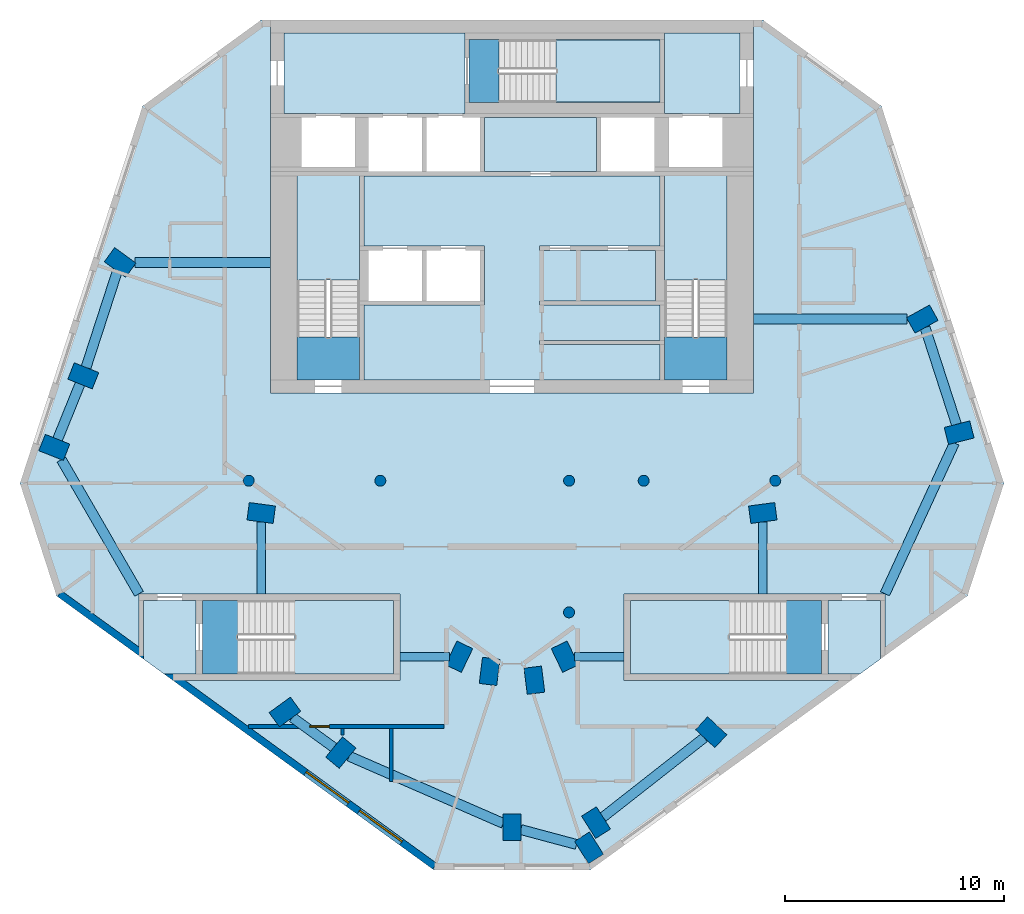
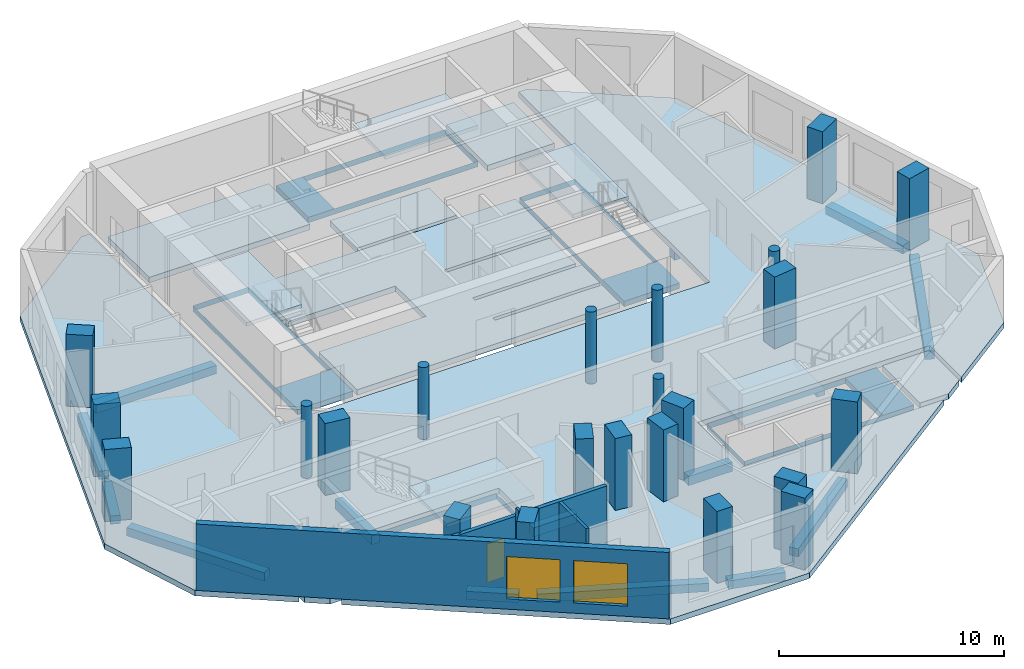
# One storey, part 1 of 8: 23 columns, 17 slabs, 15 beams, 4 walls, 2 windows, 1 door, 3 openings, 5 elements without a shape of their own.
"""IFC4 building model written with IfcOpenShell, lengths in metres."""

from ifc_helpers import new_model, si_unit, direction, frame, frame_2d, origin, origin_2d, place, context, subcontext, project, spatial, polyline, rectangle, circle, outline, extrude, material, layer, layer_set, material_profile, profile_set, type_object, element, fill, aggregate, save


model = new_model("IFC4")

# Units and contexts
model_context = context("Model", 3, precision=1e-05, world=origin(), true_north=direction((0.0, 1.0)))
body_context = subcontext(model_context, "Body", "Model", "MODEL_VIEW")
ifc_project = project(units=[si_unit("LENGTHUNIT", "METRE"), si_unit("AREAUNIT", "SQUARE_METRE"), si_unit("VOLUMEUNIT", "CUBIC_METRE"), si_unit("PLANEANGLEUNIT", "RADIAN"), si_unit("MASSUNIT", "GRAM", prefix="KILO")], contexts=[model_context])

# Site, building, storey
site_placement = place(None, origin())
site = spatial("IfcSite", under=ifc_project, at=site_placement, CompositionType="ELEMENT")
building_placement = place(site_placement, origin())
building = spatial("IfcBuilding", under=site, at=building_placement, Name="White Candle Pilgrim Tower", CompositionType="ELEMENT")
storey_placement = place(building_placement, frame((0.0, 0.0, 310.0)))
storey = spatial("IfcBuildingStorey", under=building, at=storey_placement, Name="L73", CompositionType="ELEMENT", Elevation=310.0)

# Columns
ifc_material_1 = material(Name="Concrete C60/75", Category="concrete")
ifc_material_profile_1 = material_profile(ifc_material_1, circle(Radius=0.25, at=origin_2d()), Name="RC-COL D500")
ifc_profile_set_1 = profile_set([ifc_material_profile_1], Name="Concrete C60/75")
column_type_1 = type_object("IfcColumnType", Name="Interior column RC-COL D500 C60/75", PredefinedType="COLUMN", material=ifc_profile_set_1)
for number, where, z_axis, x_axis, name in (
    (1, (58.0, 67.0, 0.0), (0.0, 0.0, 1.0), (1.0, 0.0, 0.0), "L73 column I01"),
    (2, (64.0, 67.0, 0.0), (0.0, 0.0, 1.0), (1.0, 0.0, 0.0), "L73 column I02"),
    (3, (72.60009765625, 61.0, 0.0), (0.0, 0.0, 1.0), (1.0, 0.0, 0.0), "L73 column I03"),
    (4, (72.60009765625, 67.0, 0.0), (0.0, 0.0, 1.0), (1.0, 0.0, 0.0), "L73 column I04"),
    (5, (76.0, 67.0, 0.0), (0.0, 0.0, 1.0), (1.0, 0.0, 0.0), "L73 column I05"),
    (6, (82.0, 67.0, 0.0), (0.0, 0.0, 1.0), (1.0, 0.0, 0.0), "L73 column I06"),
):
    element("IfcColumn", number, at=place(storey_placement, frame(where, z_axis=z_axis, x_axis=x_axis)), inside=storey, type_object=column_type_1, Name=name, PredefinedType="COLUMN", context=body_context, shape_type="SweptSolid", body=[
        extrude(circle(Radius=0.25, at=origin_2d()), origin(), (0.0, 0.0, 1.0), 3.89990234375),
    ])
ifc_material_profile_2 = material_profile(ifc_material_1, rectangle(XDim=0.800048828125, YDim=1.199951171875, at=origin_2d()), Name="RC-PR 800x1200")
ifc_profile_set_2 = profile_set([ifc_material_profile_2], Name="Concrete C60/75")
column_type_2 = type_object("IfcColumnType", Name="Perimeter column RC-PR 800x1200 C60/75", PredefinedType="COLUMN", material=ifc_profile_set_2)
for number, where, z_axis, x_axis, name in (
    (7, (59.64990234375, 56.4599609375, 0.0), (0.0, 0.0, 1.0), (-0.58846280644, 0.808524288711, 0.0), "L73 column T01"),
    (8, (62.199951171875, 54.610107421875, 0.0), (0.0, 0.0, 1.0), (-0.769310358735, 0.638875239733, 0.0), "L73 column T02"),
    (9, (70.0, 51.2099609375, 0.0), (0.0, 0.0, 1.0), (-1.0, 0.0, 0.0), "L73 column T03"),
    (10, (73.510009765625, 50.27001953125, 0.0), (0.0, 0.0, 1.0), (-0.845317785834, -0.534263830848, 0.0), "L73 column T04"),
    (11, (73.830078125, 51.419921875, 0.0), (0.0, 0.0, 1.0), (-0.845317785834, -0.534263830848, 0.0), "L73 column T05"),
    (12, (79.080078125, 55.5400390625, 0.0), (0.0, 0.0, 1.0), (-0.681998360062, -0.731353701619, 0.0), "L73 column T06"),
    (13, (90.3798828125, 69.18994140625, 0.0), (0.0, 0.0, 1.0), (0.246880623275, -0.969045900797, 0.0), "L73 column T07"),
    (14, (88.699951171875, 74.3701171875, 0.0), (0.0, 0.0, 1.0), (0.484809620246, -0.874619707139, 0.0), "L73 column T08"),
    (15, (52.139892578125, 76.949951171875, 0.0), (0.0, 0.0, 1.0), (0.587107285614, 0.809509132239, 0.0), "L73 column T09"),
    (16, (50.4599609375, 71.780029296875, 0.0), (0.0, 0.0, 1.0), (0.369860269472, 0.929087391512, 0.0), "L73 column T10"),
    (17, (49.139892578125, 68.52001953125, 0.0), (0.0, 0.0, 1.0), (0.369860269472, 0.929087391512, 0.0), "L73 column T11"),
):
    element("IfcColumn", number, at=place(storey_placement, frame(where, z_axis=z_axis, x_axis=x_axis)), inside=storey, type_object=column_type_2, Name=name, PredefinedType="COLUMN", context=body_context, shape_type="SweptSolid", body=[
        extrude(rectangle(XDim=0.800048828125, YDim=1.199951171875, at=origin_2d()), origin(), (0.0, 0.0, 1.0), 3.89990234375),
    ])
ifc_material_profile_3 = material_profile(ifc_material_1, rectangle(XDim=0.800048828125, YDim=1.199951171875, at=origin_2d()), Name="RC-PR 800x1200")
ifc_profile_set_3 = profile_set([ifc_material_profile_3], Name="Concrete C60/75")
column_type_3 = type_object("IfcColumnType", Name="Ring column RC-PR 800x1200 C60/75", PredefinedType="COLUMN", material=ifc_profile_set_3)
for number, where, z_axis, x_axis, name in (
    (18, (67.590087890625, 58.97998046875, 0.0), (0.0, 0.0, 1.0), (-0.901689191761, 0.43238478403, 0.0), "L73 column R01"),
    (19, (68.97998046875, 58.31005859375, 0.0), (0.0, 0.0, 1.0), (-0.992092811428, 0.125506388335, 0.0), "L73 column R02"),
    (20, (71.02001953125, 57.909912109375, 0.0), (0.0, 0.0, 1.0), (-0.992092811428, -0.125506388335, 0.0), "L73 column R03"),
    (21, (72.409912109375, 58.97998046875, 0.0), (0.0, 0.0, 1.0), (-0.901689191761, -0.43238478403, 0.0), "L73 column R04"),
    (22, (81.429931640625, 65.530029296875, 0.0), (0.0, 0.0, 1.0), (0.132602381688, -0.991169313675, 0.0), "L73 column R05"),
    (23, (58.570068359375, 65.530029296875, 0.0), (0.0, 0.0, 1.0), (0.132602381688, 0.991169313675, 0.0), "L73 column R06"),
):
    element("IfcColumn", number, at=place(storey_placement, frame(where, z_axis=z_axis, x_axis=x_axis)), inside=storey, type_object=column_type_3, Name=name, PredefinedType="COLUMN", context=body_context, shape_type="SweptSolid", body=[
        extrude(rectangle(XDim=0.800048828125, YDim=1.199951171875, at=origin_2d()), origin(), (0.0, 0.0, 1.0), 3.89990234375),
    ])

# Beams
ifc_material_2 = material(Name="Concrete C50/60", Category="concrete")
ifc_material_profile_4 = material_profile(ifc_material_2, rectangle(XDim=0.39990234375, YDim=0.5, at=origin_2d()), Name="RC-BM 400x500")
ifc_profile_set_4 = profile_set([ifc_material_profile_4], Name="Concrete C50/60")
beam_type_1 = type_object("IfcBeamType", Name="Ring beam RC-BM 400x500 C50/60", PredefinedType="BEAM", material=ifc_profile_set_4)
beam_1_placement = place(storey_placement, frame((72.853515625, 58.97998046875, -0.550048828125), z_axis=(1.0, 0.0, 0.0), x_axis=(0.0, 1.0, 0.0)))
element("IfcBeam", 24, at=beam_1_placement, inside=storey, type_object=beam_type_1, Name="L73 ring beam R01", PredefinedType="BEAM", context=body_context, shape_type="SweptSolid", body=[
    extrude(rectangle(XDim=0.39990234375, YDim=0.5, at=origin_2d()), origin(), (0.0, 0.0, 1.0), 2.24658203125),
])
for number, where, z_axis, x_axis, name in (
    (25, (81.429931640625, 65.12646484375, -0.550048828125), (0.0, -1.0, 0.0), (1.0, 0.0, 0.0), "L73 ring beam R02"),
    (26, (58.570068359375, 65.12646484375, -0.550048828125), (0.0, -1.0, 0.0), (1.0, 0.0, 0.0), "L73 ring beam R03"),
):
    element("IfcBeam", number, at=place(storey_placement, frame(where, z_axis=z_axis, x_axis=x_axis)), inside=storey, type_object=beam_type_1, Name=name, PredefinedType="BEAM", context=body_context, shape_type="SweptSolid", body=[
        extrude(rectangle(XDim=0.39990234375, YDim=0.5, at=origin_2d()), origin(), (0.0, 0.0, 1.0), 3.2763671875),
    ])
beam_2_placement = place(storey_placement, frame((67.146484375, 58.97998046875, -0.550048828125), z_axis=(-1.0, 0.0, 0.0), x_axis=(0.0, -1.0, 0.0)))
element("IfcBeam", 27, at=beam_2_placement, inside=storey, type_object=beam_type_1, Name="L73 ring beam R04", PredefinedType="BEAM", context=body_context, shape_type="SweptSolid", body=[
    extrude(rectangle(XDim=0.39990234375, YDim=0.5, at=origin_2d()), origin(), (0.0, 0.0, 1.0), 2.24658203125),
])
ifc_material_profile_5 = material_profile(ifc_material_2, rectangle(XDim=0.449951171875, YDim=0.449951171875, at=origin_2d()), Name="RC-BM 450x450")
ifc_profile_set_5 = profile_set([ifc_material_profile_5], Name="Concrete C50/60")
beam_type_2 = type_object("IfcBeamType", Name="Spandrel beam RC-BM 450x450 C50/60", PredefinedType="BEAM", material=ifc_profile_set_5)
beam_3_placement = place(storey_placement, frame((59.990478515625, 56.212890625, -0.52490234375), z_axis=(0.809447251057, -0.58719259852, 0.0), x_axis=(0.58719259852, 0.809447251057, 0.0)))
element("IfcBeam", 28, at=beam_3_placement, inside=storey, type_object=beam_type_2, Name="L73 spandrel beam T01", PredefinedType="BEAM", context=body_context, shape_type="SweptSolid", body=[
    extrude(rectangle(XDim=0.449951171875, YDim=0.449951171875, at=origin_2d()), origin(), (0.0, 0.0, 1.0), 2.328857421875),
])
beam_4_placement = place(storey_placement, frame((62.581787109375, 54.443603515625, -0.52490234375), z_axis=(0.9167046502, -0.399565494382, 0.0), x_axis=(0.399565494382, 0.9167046502, 0.0)))
element("IfcBeam", 29, at=beam_4_placement, inside=storey, type_object=beam_type_2, Name="L73 spandrel beam T02", PredefinedType="BEAM", context=body_context, shape_type="SweptSolid", body=[
    extrude(rectangle(XDim=0.449951171875, YDim=0.449951171875, at=origin_2d()), origin(), (0.0, 0.0, 1.0), 7.656005859375),
])
beam_5_placement = place(storey_placement, frame((70.39990234375, 51.102783203125, -0.52490234375), z_axis=(0.965978702325, -0.258621628357, 0.0), x_axis=(0.258621628357, 0.965978702325, 0.0)))
element("IfcBeam", 30, at=beam_5_placement, inside=storey, type_object=beam_type_2, Name="L73 spandrel beam T03", PredefinedType="BEAM", context=body_context, shape_type="SweptSolid", body=[
    extrude(rectangle(XDim=0.449951171875, YDim=0.449951171875, at=origin_2d()), origin(), (0.0, 0.0, 1.0), 2.6298828125),
])
beam_6_placement = place(storey_placement, frame((74.146240234375, 51.668212890625, -0.52490234375), z_axis=(0.786684987555, 0.617354622851, 0.0), x_axis=(-0.617354622851, 0.786684987555, 0.0)))
element("IfcBeam", 31, at=beam_6_placement, inside=storey, type_object=beam_type_2, Name="L73 spandrel beam T04", PredefinedType="BEAM", context=body_context, shape_type="SweptSolid", body=[
    extrude(rectangle(XDim=0.449951171875, YDim=0.449951171875, at=origin_2d()), origin(), (0.0, 0.0, 1.0), 5.86669921875),
])
beam_7_placement = place(storey_placement, frame((90.164794921875, 68.722412109375, -0.52490234375), z_axis=(-0.418290677934, -0.908313221721, 0.0), x_axis=(0.908313221721, -0.418290677934, 0.0)))
element("IfcBeam", 32, at=beam_7_placement, inside=storey, type_object=beam_type_2, Name="L73 spandrel beam T05", PredefinedType="BEAM", context=body_context, shape_type="SweptSolid", body=[
    extrude(rectangle(XDim=0.449951171875, YDim=0.449951171875, at=origin_2d()), origin(), (0.0, 0.0, 1.0), 7.56591796875),
])
beam_8_placement = place(storey_placement, frame((90.25634765625, 69.5712890625, -0.52490234375), z_axis=(-0.308509847878, 0.951221148715, 0.0), x_axis=(-0.951221148715, -0.308509847878, 0.0)))
element("IfcBeam", 33, at=beam_8_placement, inside=storey, type_object=beam_type_2, Name="L73 spandrel beam T06", PredefinedType="BEAM", context=body_context, shape_type="SweptSolid", body=[
    extrude(rectangle(XDim=0.449951171875, YDim=0.449951171875, at=origin_2d()), origin(), (0.0, 0.0, 1.0), 4.637451171875),
])
beam_9_placement = place(storey_placement, frame((88.013916015625, 74.3701171875, -0.52490234375), z_axis=(-1.0, 0.0, 0.0), x_axis=(0.0, -1.0, 0.0)))
element("IfcBeam", 34, at=beam_9_placement, inside=storey, type_object=beam_type_2, Name="L73 spandrel beam T07", PredefinedType="BEAM", context=body_context, shape_type="SweptSolid", body=[
    extrude(rectangle(XDim=0.449951171875, YDim=0.449951171875, at=origin_2d()), origin(), (0.0, 0.0, 1.0), 7.013916015625),
])
beam_10_placement = place(storey_placement, frame((52.8212890625, 76.949951171875, -0.52490234375), z_axis=(1.0, 0.0, 0.0), x_axis=(0.0, 1.0, 0.0)))
element("IfcBeam", 35, at=beam_10_placement, inside=storey, type_object=beam_type_2, Name="L73 spandrel beam T08", PredefinedType="BEAM", context=body_context, shape_type="SweptSolid", body=[
    extrude(rectangle(XDim=0.449951171875, YDim=0.449951171875, at=origin_2d()), origin(), (0.0, 0.0, 1.0), 6.1787109375),
])
beam_11_placement = place(storey_placement, frame((52.010009765625, 76.550048828125, -0.52490234375), z_axis=(-0.309013100196, -0.951057781582, 0.0), x_axis=(0.951057781582, -0.309013100196, 0.0)))
element("IfcBeam", 36, at=beam_11_placement, inside=storey, type_object=beam_type_2, Name="L73 spandrel beam T09", PredefinedType="BEAM", context=body_context, shape_type="SweptSolid", body=[
    extrude(rectangle(XDim=0.449951171875, YDim=0.449951171875, at=origin_2d()), origin(), (0.0, 0.0, 1.0), 4.61474609375),
])
beam_12_placement = place(storey_placement, frame((50.309814453125, 71.4091796875, -0.52490234375), z_axis=(-0.375337979494, -0.926888019746, 0.0), x_axis=(0.926888019746, -0.375337979494, 0.0)))
element("IfcBeam", 37, at=beam_12_placement, inside=storey, type_object=beam_type_2, Name="L73 spandrel beam T10", PredefinedType="BEAM", context=body_context, shape_type="SweptSolid", body=[
    extrude(rectangle(XDim=0.449951171875, YDim=0.449951171875, at=origin_2d()), origin(), (0.0, 0.0, 1.0), 2.717041015625),
])
beam_13_placement = place(storey_placement, frame((49.463623046875, 67.960693359375, -0.52490234375), z_axis=(0.500894499263, -0.865508348087, 0.0), x_axis=(0.865508348087, 0.500894499263, 0.0)))
element("IfcBeam", 38, at=beam_13_placement, inside=storey, type_object=beam_type_2, Name="L73 spandrel beam T11", PredefinedType="BEAM", context=body_context, shape_type="SweptSolid", body=[
    extrude(rectangle(XDim=0.449951171875, YDim=0.449951171875, at=origin_2d()), origin(), (0.0, 0.0, 1.0), 7.06005859375),
])

# Slabs
ifc_material_3 = material(Name="Concrete C40/50", Category="concrete")
ifc_layer_1 = layer(ifc_material_3, 0.300048828125)
ifc_layer_set_1 = layer_set([ifc_layer_1], Name="Core floor slab 300 mm Concrete C40/50")
slab_type_1 = type_object("IfcSlabType", Name="Core floor slab 300 mm Concrete C40/50", PredefinedType="FLOOR", material=ifc_layer_set_1)
slab_1_placement = place(storey_placement, frame((0.0, 0.0, -0.300048828125)))
element("IfcSlab", 39, at=slab_1_placement, inside=storey, type_object=slab_type_1, Name="CF-L73-01", PredefinedType="FLOOR", context=body_context, shape_type="SweptSolid", body=[
    extrude(outline(polyline([(54.5458984375, 58.199951171875), (54.133056640625, 58.199951171875), (53.199951171875, 58.8779296875), (53.199951171875, 59.023193359375), (53.199951171875, 61.550048828125), (55.60009765625, 61.550048828125), (55.60009765625, 58.199951171875), (54.5458984375, 58.199951171875)])), origin(), (0.0, 0.0, 1.0), 0.300048828125),
])
slab_2_placement = place(storey_placement, frame((0.0, 0.0, -0.300048828125)))
element("IfcSlab", 40, at=slab_2_placement, inside=storey, type_object=slab_type_1, Name="CF-L73-02", PredefinedType="FLOOR", context=body_context, shape_type="SweptSolid", body=[
    extrude(outline(polyline([(55.89990234375, 58.199951171875), (55.89990234375, 61.550048828125), (64.60009765625, 61.550048828125), (64.60009765625, 58.199951171875), (55.89990234375, 58.199951171875)]), holes=[polyline([(57.501953125, 61.548095703125), (57.501953125, 58.201904296875), (64.597900390625, 58.201904296875), (64.597900390625, 61.548095703125), (57.501953125, 61.548095703125)])]), origin(), (0.0, 0.0, 1.0), 0.300048828125),
])
slab_3_placement = place(storey_placement, frame((0.0, 0.0, -0.300048828125)))
element("IfcSlab", 41, at=slab_3_placement, inside=storey, type_object=slab_type_1, Name="CF-L73-03", PredefinedType="FLOOR", context=body_context, shape_type="SweptSolid", body=[
    extrude(outline(polyline([(75.39990234375, 58.199951171875), (75.39990234375, 61.550048828125), (84.10009765625, 61.550048828125), (84.10009765625, 58.199951171875), (75.39990234375, 58.199951171875)]), holes=[polyline([(82.498046875, 58.201904296875), (82.498046875, 61.548095703125), (75.402099609375, 61.548095703125), (75.402099609375, 58.201904296875), (82.498046875, 58.201904296875)])]), origin(), (0.0, 0.0, 1.0), 0.300048828125),
])
slab_4_placement = place(storey_placement, frame((0.0, 0.0, -0.300048828125)))
element("IfcSlab", 42, at=slab_4_placement, inside=storey, type_object=slab_type_1, Name="CF-L73-04", PredefinedType="FLOOR", context=body_context, shape_type="SweptSolid", body=[
    extrude(outline(polyline([(86.800048828125, 59.023193359375), (86.800048828125, 58.8779296875), (85.866943359375, 58.199951171875), (85.4541015625, 58.199951171875), (84.39990234375, 58.199951171875), (84.39990234375, 61.550048828125), (86.800048828125, 61.550048828125), (86.800048828125, 59.023193359375)])), origin(), (0.0, 0.0, 1.0), 0.300048828125),
])
slab_5_placement = place(storey_placement, frame((0.0, 0.0, -0.300048828125)))
element("IfcSlab", 43, at=slab_5_placement, inside=storey, type_object=slab_type_1, Name="CF-L73-05", PredefinedType="FLOOR", context=body_context, shape_type="SweptSolid", body=[
    extrude(outline(polyline([(76.949951171875, 71.60009765625), (76.949951171875, 73.199951171875), (76.949951171875, 73.39990234375), (76.949951171875, 75.0), (76.949951171875, 75.199951171875), (76.949951171875, 77.5), (76.949951171875, 77.699951171875), (76.949951171875, 80.89990234375), (79.800048828125, 80.89990234375), (79.800048828125, 71.60009765625), (76.949951171875, 71.60009765625)]), holes=[polyline([(76.951904296875, 73.552001953125), (79.798095703125, 73.552001953125), (79.798095703125, 80.89794921875), (76.951904296875, 80.89794921875), (76.951904296875, 73.552001953125)])]), origin(), (0.0, 0.0, 1.0), 0.300048828125),
])
slab_6_placement = place(storey_placement, frame((0.0, 0.0, -0.300048828125)))
element("IfcSlab", 44, at=slab_6_placement, inside=storey, type_object=slab_type_1, Name="CF-L73-06", PredefinedType="FLOOR", context=body_context, shape_type="SweptSolid", body=[
    extrude(outline(polyline([(63.25, 71.60009765625), (63.25, 75.0), (68.75, 75.0), (68.75, 75.199951171875), (68.75, 77.5), (68.75, 77.699951171875), (63.25, 77.699951171875), (63.25, 80.89990234375), (76.75, 80.89990234375), (76.75, 77.699951171875), (71.25, 77.699951171875), (71.25, 77.5), (76.550048828125, 77.5), (76.550048828125, 75.199951171875), (71.25, 75.199951171875), (71.25, 75.0), (76.75, 75.0), (76.75, 73.39990234375), (71.25, 73.39990234375), (71.25, 73.199951171875), (76.75, 73.199951171875), (76.75, 71.60009765625), (63.25, 71.60009765625)])), origin(), (0.0, 0.0, 1.0), 0.300048828125),
])
slab_7_placement = place(storey_placement, frame((0.0, 0.0, -0.300048828125)))
element("IfcSlab", 45, at=slab_7_placement, inside=storey, type_object=slab_type_1, Name="CF-L73-07", PredefinedType="FLOOR", context=body_context, shape_type="SweptSolid", body=[
    extrude(outline(polyline([(60.199951171875, 71.60009765625), (60.199951171875, 80.89990234375), (63.050048828125, 80.89990234375), (63.050048828125, 77.699951171875), (63.050048828125, 77.5), (63.050048828125, 75.199951171875), (63.050048828125, 75.0), (63.050048828125, 71.60009765625), (60.199951171875, 71.60009765625)]), holes=[polyline([(60.201904296875, 73.552001953125), (63.048095703125, 73.552001953125), (63.048095703125, 80.89794921875), (60.201904296875, 80.89794921875), (60.201904296875, 73.552001953125)])]), origin(), (0.0, 0.0, 1.0), 0.300048828125),
])
slab_8_placement = place(storey_placement, frame((0.0, 0.0, -0.300048828125)))
element("IfcSlab", 46, at=slab_8_placement, inside=storey, type_object=slab_type_1, Name="CF-L73-08", PredefinedType="FLOOR", context=body_context, shape_type="SweptSolid", body=[
    extrude(outline(polyline([(59.60009765625, 87.39990234375), (67.85009765625, 87.39990234375), (67.85009765625, 87.10009765625), (67.85009765625, 84.25), (67.85009765625, 83.75), (59.60009765625, 83.75), (59.60009765625, 87.39990234375)])), origin(), (0.0, 0.0, 1.0), 0.300048828125),
])
slab_9_placement = place(storey_placement, frame((0.0, 0.0, -0.300048828125)))
element("IfcSlab", 47, at=slab_9_placement, inside=storey, type_object=slab_type_1, Name="CF-L73-09", PredefinedType="FLOOR", context=body_context, shape_type="SweptSolid", body=[
    extrude(outline(polyline([(80.39990234375, 87.39990234375), (80.39990234375, 83.75), (76.949951171875, 83.75), (76.949951171875, 84.25), (76.949951171875, 87.10009765625), (76.949951171875, 87.39990234375), (80.39990234375, 87.39990234375)])), origin(), (0.0, 0.0, 1.0), 0.300048828125),
])
slab_10_placement = place(storey_placement, frame((0.0, 0.0, -0.300048828125)))
element("IfcSlab", 48, at=slab_10_placement, inside=storey, type_object=slab_type_1, Name="CF-L73-10", PredefinedType="FLOOR", context=body_context, shape_type="SweptSolid", body=[
    extrude(outline(polyline([(68.75, 81.10009765625), (68.75, 83.550048828125), (73.85009765625, 83.550048828125), (73.85009765625, 81.10009765625), (68.75, 81.10009765625)])), origin(), (0.0, 0.0, 1.0), 0.300048828125),
])
slab_11_placement = place(storey_placement, frame((0.0, 0.0, -0.300048828125)))
element("IfcSlab", 49, at=slab_11_placement, inside=storey, type_object=slab_type_1, Name="CF-L73-11", PredefinedType="FLOOR", context=body_context, shape_type="SweptSolid", body=[
    extrude(outline(polyline([(68.050048828125, 87.10009765625), (76.75, 87.10009765625), (76.75, 84.25), (68.050048828125, 84.25), (68.050048828125, 87.10009765625)]), holes=[polyline([(69.402099609375, 84.251953125), (76.748046875, 84.251953125), (76.748046875, 87.097900390625), (69.402099609375, 87.097900390625), (69.402099609375, 84.251953125)])]), origin(), (0.0, 0.0, 1.0), 0.300048828125),
])
ifc_layer_2 = layer(ifc_material_3, 0.300048828125)
ifc_layer_set_2 = layer_set([ifc_layer_2], Name="Floor slab 300 REI 120")
slab_type_2 = type_object("IfcSlabType", Name="Floor slab 300 REI 120", PredefinedType="FLOOR", material=ifc_layer_set_2)
slab_12_placement = place(storey_placement, frame((0.0, 0.0, -0.300048828125)))
element("IfcSlab", 50, at=slab_12_placement, inside=storey, type_object=slab_type_2, Name="L73 floor slab", PredefinedType="FLOOR", context=body_context, shape_type="SweptSolid", body=[
    extrude(outline(polyline([(66.426513671875, 49.268310546875), (73.573486328125, 49.268310546875), (85.4541015625, 57.89990234375), (75.10009765625, 57.89990234375), (75.10009765625, 61.85009765625), (87.0, 61.85009765625), (87.0, 59.023193359375), (90.756591796875, 61.752685546875), (92.424072265625, 66.8837890625), (86.837890625, 84.075927734375), (81.43701171875, 88.0), (81.0, 88.0), (81.0, 71.0), (59.0, 71.0), (59.0, 88.0), (58.56298828125, 88.0), (53.162109375, 84.075927734375), (47.575927734375, 66.8837890625), (49.243408203125, 61.752685546875), (53.0, 59.023193359375), (53.0, 61.85009765625), (64.89990234375, 61.85009765625), (64.89990234375, 57.89990234375), (54.5458984375, 57.89990234375), (66.426513671875, 49.268310546875)])), origin(), (0.0, 0.0, 1.0), 0.300048828125),
])

# Stair, slab
stair_type_1 = type_object("IfcStairType", Name="Exit stair 1 flight width 1350 mm", PredefinedType="HALF_TURN_STAIR", material=ifc_material_3)
stair_1_placement = place(storey_placement, origin())
stair_1 = element("IfcStair", 51, at=stair_1_placement, inside=storey, type_object=stair_type_1, Name="L73 stair 1", PredefinedType="NOTDEFINED")
ifc_layer_3 = layer(ifc_material_3, 0.199951171875)
ifc_layer_set_3 = layer_set([ifc_layer_3], Name="Stair landing Concrete C40/50")
slab_type_3 = type_object("IfcSlabType", Name="Stair landing Concrete C40/50", PredefinedType="LANDING", material=ifc_layer_set_3)
slab_13_placement = place(storey_placement, frame((0.0, 0.0, 1.75)))
slab_13 = element("IfcSlab", 52, at=slab_13_placement, type_object=slab_type_3, Name="ST1 landing 1", PredefinedType="LANDING", context=body_context, shape_type="SweptSolid", body=[
    extrude(outline(polyline([(63.052001953125, 76.14794921875), (60.197998046875, 76.14794921875), (60.197998046875, 80.902099609375), (63.052001953125, 80.902099609375), (63.052001953125, 76.14794921875)])), origin(), (0.0, 0.0, 1.0), 0.199951171875),
])
aggregate(stair_1, [slab_13])

stair_type_2 = type_object("IfcStairType", Name="Exit stair 2 flight width 1350 mm", PredefinedType="HALF_TURN_STAIR", material=ifc_material_3)
stair_2_placement = place(storey_placement, origin())
stair_2 = element("IfcStair", 53, at=stair_2_placement, inside=storey, type_object=stair_type_2, Name="L73 stair 2", PredefinedType="NOTDEFINED")
slab_14_placement = place(storey_placement, frame((0.0, 0.0, 1.75)))
slab_14 = element("IfcSlab", 54, at=slab_14_placement, type_object=slab_type_3, Name="ST2 landing 1", PredefinedType="LANDING", context=body_context, shape_type="SweptSolid", body=[
    extrude(outline(polyline([(79.802001953125, 76.14794921875), (76.947998046875, 76.14794921875), (76.947998046875, 80.902099609375), (79.802001953125, 80.902099609375), (79.802001953125, 76.14794921875)])), origin(), (0.0, 0.0, 1.0), 0.199951171875),
])
aggregate(stair_2, [slab_14])

stair_type_3 = type_object("IfcStairType", Name="Exit stair 3 flight width 1350 mm", PredefinedType="HALF_TURN_STAIR", material=ifc_material_3)
stair_3_placement = place(storey_placement, origin())
stair_3 = element("IfcStair", 55, at=stair_3_placement, inside=storey, type_object=stair_type_3, Name="L73 stair 3", PredefinedType="NOTDEFINED")
slab_15_placement = place(storey_placement, frame((0.0, 0.0, 1.75)))
slab_15 = element("IfcSlab", 56, at=slab_15_placement, type_object=slab_type_3, Name="ST3 landing 1", PredefinedType="LANDING", context=body_context, shape_type="SweptSolid", body=[
    extrude(outline(polyline([(71.998046875, 84.248046875), (71.998046875, 87.10205078125), (76.751953125, 87.10205078125), (76.751953125, 84.248046875), (71.998046875, 84.248046875)])), origin(), (0.0, 0.0, 1.0), 0.199951171875),
])
aggregate(stair_3, [slab_15])

stair_type_4 = type_object("IfcStairType", Name="Exit stair 4 flight width 1600 mm", PredefinedType="HALF_TURN_STAIR", material=ifc_material_3)
stair_4_placement = place(storey_placement, origin())
stair_4 = element("IfcStair", 57, at=stair_4_placement, inside=storey, type_object=stair_type_4, Name="L73 stair 4", PredefinedType="NOTDEFINED")
slab_16_placement = place(storey_placement, frame((0.0, 0.0, 1.75)))
slab_16 = element("IfcSlab", 58, at=slab_16_placement, type_object=slab_type_3, Name="ST4 landing 1", PredefinedType="LANDING", context=body_context, shape_type="SweptSolid", body=[
    extrude(outline(polyline([(79.902099609375, 61.552001953125), (79.902099609375, 58.197998046875), (75.39794921875, 58.197998046875), (75.39794921875, 61.552001953125), (79.902099609375, 61.552001953125)])), origin(), (0.0, 0.0, 1.0), 0.199951171875),
])
aggregate(stair_4, [slab_16])

stair_type_5 = type_object("IfcStairType", Name="Exit stair 5 flight width 1600 mm", PredefinedType="HALF_TURN_STAIR", material=ifc_material_3)
stair_5_placement = place(storey_placement, origin())
stair_5 = element("IfcStair", 59, at=stair_5_placement, inside=storey, type_object=stair_type_5, Name="L73 stair 5", PredefinedType="NOTDEFINED")
slab_17_placement = place(storey_placement, frame((0.0, 0.0, 1.75)))
slab_17 = element("IfcSlab", 60, at=slab_17_placement, type_object=slab_type_3, Name="ST5 landing 1", PredefinedType="LANDING", context=body_context, shape_type="SweptSolid", body=[
    extrude(outline(polyline([(60.097900390625, 58.197998046875), (60.097900390625, 61.552001953125), (64.60205078125, 61.552001953125), (64.60205078125, 58.197998046875), (60.097900390625, 58.197998046875)])), origin(), (0.0, 0.0, 1.0), 0.199951171875),
])
aggregate(stair_5, [slab_17])

# Wall, opening, door
ifc_material_4 = material(Name="Gypsum board on steel studs", Category="steel")
ifc_layer_4 = layer(ifc_material_4, 0.199951171875)
ifc_layer_set_4 = layer_set([ifc_layer_4], Name="Corridor wall 200 mm EI 45")
wall_type_1 = type_object("IfcWallType", Name="Corridor wall 200 mm EI 45", PredefinedType="PARTITIONING", material=ifc_layer_set_4)
wall_1_placement = place(storey_placement, frame((66.89990234375, 55.800048828125, 0.0), z_axis=(0.0, 0.0, 1.0), x_axis=(-1.0, 0.0, 0.0)))
wall_1 = element("IfcWall", 61, at=wall_1_placement, inside=storey, type_object=wall_type_1, Name="WL-L73-P014", PredefinedType="PARTITIONING", context=body_context, shape_type="SweptSolid", body=[
    extrude(rectangle(XDim=8.919189453125, YDim=0.199951171875, at=frame_2d((4.45947265625, 0.0))), origin(), (0.0, 0.0, 1.0), 3.14990234375),
])
opening_1_placement = place(wall_1_placement, frame((5.227294921875, 0.0, 0.0)))
opening_1 = element("IfcOpeningElement", 62, at=opening_1_placement, cuts=wall_1, Name="Opening T22-103", PredefinedType="OPENING", context=body_context, shape_type="SweptSolid", body=[
    extrude(rectangle(XDim=0.89990234375, YDim=2.10009765625, at=frame_2d((0.449951171875, 1.050048828125))), frame((0.0, 0.10986328125, 0.0), z_axis=(0.0, -1.0, 0.0), x_axis=(1.0, 0.0, 0.0)), (0.0, 0.0, 1.0), 0.219970703125),
])
ifc_material_5 = material(Name="Steel door leaf", Category="steel")
door_type = type_object("IfcDoorType", Name="Fire door 900 x 2100 EI 30", OperationType="NOTDEFINED", PredefinedType="DOOR", material=ifc_material_5)
door_placement = place(opening_1_placement, origin())
door = element("IfcDoor", 63, at=door_placement, inside=storey, type_object=door_type, Name="Door T22-103", OperationType="SINGLE_SWING_LEFT", OverallHeight=2.10009765625, OverallWidth=0.89990234375, PredefinedType="DOOR", context=body_context, shape_type="SweptSolid", body=[
    extrude(rectangle(XDim=0.89990234375, YDim=2.10009765625, at=frame_2d((0.449951171875, 1.050048828125))), frame((0.0, 0.02490234375, 0.0), z_axis=(0.0, -1.0, 0.0), x_axis=(1.0, 0.0, 0.0)), (0.0, 0.0, 1.0), 0.050048828125),
])
fill(opening_1, door)

# Wall, openings, windows
ifc_material_6 = material(Name="Precast concrete C40/50", Category="concrete")
ifc_layer_5 = layer(ifc_material_6, 0.320068359375)
ifc_layer_set_5 = layer_set([ifc_layer_5], Name="Facade wall EW1 precast concrete C40/50 pier wall with timber-lined reveals")
wall_type_2 = type_object("IfcWallType", Name="Facade wall EW1 precast concrete C40/50 pier wall with timber-lined reveals", PredefinedType="SOLIDWALL", material=ifc_layer_set_5)
wall_2_placement = place(storey_placement, frame((49.37939453125, 61.8515625, 0.0), z_axis=(0.0, 0.0, 1.0), x_axis=(0.809014717996, -0.587788385447, 0.0)))
wall_2 = element("IfcWall", 64, at=wall_2_placement, inside=storey, type_object=wall_type_2, Name="Facade wall L73 SW", PredefinedType="SOLIDWALL", context=body_context, shape_type="SweptSolid", body=[
    extrude(rectangle(XDim=21.1357421875, YDim=0.320068359375, at=frame_2d((10.56787109375, 0.0))), origin(), (0.0, 0.0, 1.0), 3.60009765625),
])
opening_2_placement = place(wall_2_placement, frame((13.867919921875, 0.0, 0.550048828125)))
opening_2 = element("IfcOpeningElement", 65, at=opening_2_placement, cuts=wall_2, Name="Opening W5", PredefinedType="OPENING", context=body_context, shape_type="SweptSolid", body=[
    extrude(rectangle(XDim=2.39990234375, YDim=2.300048828125, at=frame_2d((1.199951171875, 1.14990234375))), frame((0.0, 0.169921875, 0.0), z_axis=(0.0, -1.0, 0.0), x_axis=(1.0, 0.0, 0.0)), (0.0, 0.0, 1.0), 0.340087890625),
])
opening_3_placement = place(wall_2_placement, frame((16.867919921875, 0.0, 0.550048828125)))
opening_3 = element("IfcOpeningElement", 66, at=opening_3_placement, cuts=wall_2, Name="Opening W5", PredefinedType="OPENING", context=body_context, shape_type="SweptSolid", body=[
    extrude(rectangle(XDim=2.39990234375, YDim=2.300048828125, at=frame_2d((1.199951171875, 1.14990234375))), frame((0.0, 0.169921875, 0.0), z_axis=(0.0, -1.0, 0.0), x_axis=(1.0, 0.0, 0.0)), (0.0, 0.0, 1.0), 0.340087890625),
])
ifc_material_7 = material(Name="Timber frame with triple glazing", Category="wood")
window_type = type_object("IfcWindowType", Name="Window W5 2400x2300 timber frame triple glazing", PartitioningType="SINGLE_PANEL", PredefinedType="WINDOW", material=ifc_material_7)
window_1_placement = place(opening_2_placement, origin())
window_1 = element("IfcWindow", 67, at=window_1_placement, inside=storey, type_object=window_type, Name="Window W5 L73 SW 5", OverallHeight=2.300048828125, OverallWidth=2.39990234375, PartitioningType="SINGLE_PANEL", PredefinedType="WINDOW", context=body_context, shape_type="SweptSolid", body=[
    extrude(rectangle(XDim=2.39990234375, YDim=2.300048828125, at=frame_2d((1.199951171875, 1.14990234375))), frame((0.0, 0.070068359375, 0.0), z_axis=(0.0, -1.0, 0.0), x_axis=(1.0, 0.0, 0.0)), (0.0, 0.0, 1.0), 0.06005859375),
])
fill(opening_2, window_1)
window_2_placement = place(opening_3_placement, origin())
window_2 = element("IfcWindow", 68, at=window_2_placement, inside=storey, type_object=window_type, Name="Window W5 L73 SW 6", OverallHeight=2.300048828125, OverallWidth=2.39990234375, PartitioningType="SINGLE_PANEL", PredefinedType="WINDOW", context=body_context, shape_type="SweptSolid", body=[
    extrude(rectangle(XDim=2.39990234375, YDim=2.300048828125, at=frame_2d((1.199951171875, 1.14990234375))), frame((0.0, 0.070068359375, 0.0), z_axis=(0.0, -1.0, 0.0), x_axis=(1.0, 0.0, 0.0)), (0.0, 0.0, 1.0), 0.06005859375),
])
fill(opening_3, window_2)

# Walls
ifc_layer_6 = layer(ifc_material_4, 0.14990234375)
ifc_layer_set_6 = layer_set([ifc_layer_6], Name="Partition 150 mm EI 60")
wall_type_3 = type_object("IfcWallType", Name="Partition 150 mm EI 60", PredefinedType="PARTITIONING", material=ifc_layer_set_6)
wall_3_placement = place(storey_placement, frame((64.5, 55.699951171875, 0.0), z_axis=(0.0, 0.0, 1.0), x_axis=(0.0, -1.0, 0.0)))
element("IfcWall", 69, at=wall_3_placement, inside=storey, type_object=wall_type_3, Name="WL-L73-P029", PredefinedType="PARTITIONING", context=body_context, shape_type="SweptSolid", body=[
    extrude(rectangle(XDim=2.39990234375, YDim=0.14990234375, at=frame_2d((1.199951171875, 0.0))), origin(), (0.0, 0.0, 1.0), 3.14990234375),
])
wall_4_placement = place(storey_placement, frame((62.27587890625, 55.4169921875, 0.0), z_axis=(0.0, 0.0, 1.0), x_axis=(0.0, 1.0, 0.0)))
element("IfcWall", 70, at=wall_4_placement, inside=storey, type_object=wall_type_3, Name="WL-L73-P038", PredefinedType="PARTITIONING", context=body_context, shape_type="SweptSolid", body=[
    extrude(rectangle(XDim=0.282958984375, YDim=0.14990234375, at=frame_2d((0.1416015625, 0.0))), origin(), (0.0, 0.0, 1.0), 3.60009765625),
])

save(model, "model.ifc")
